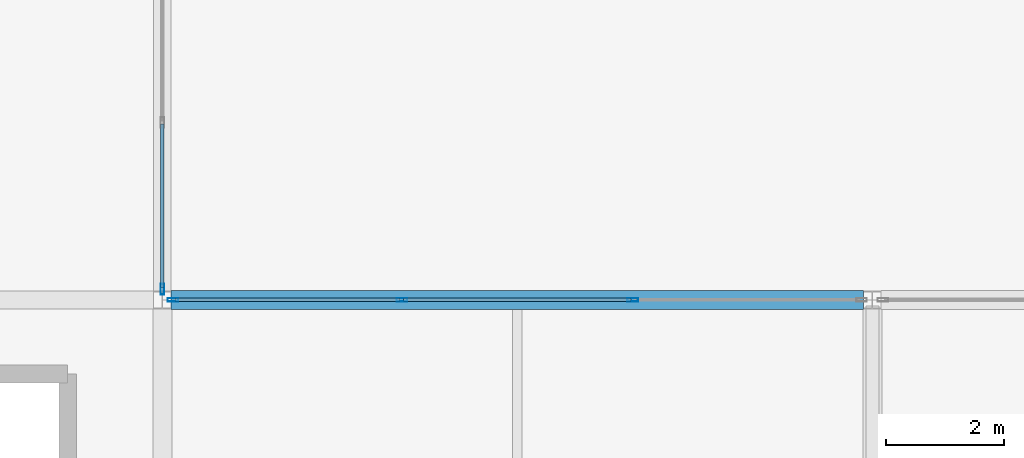
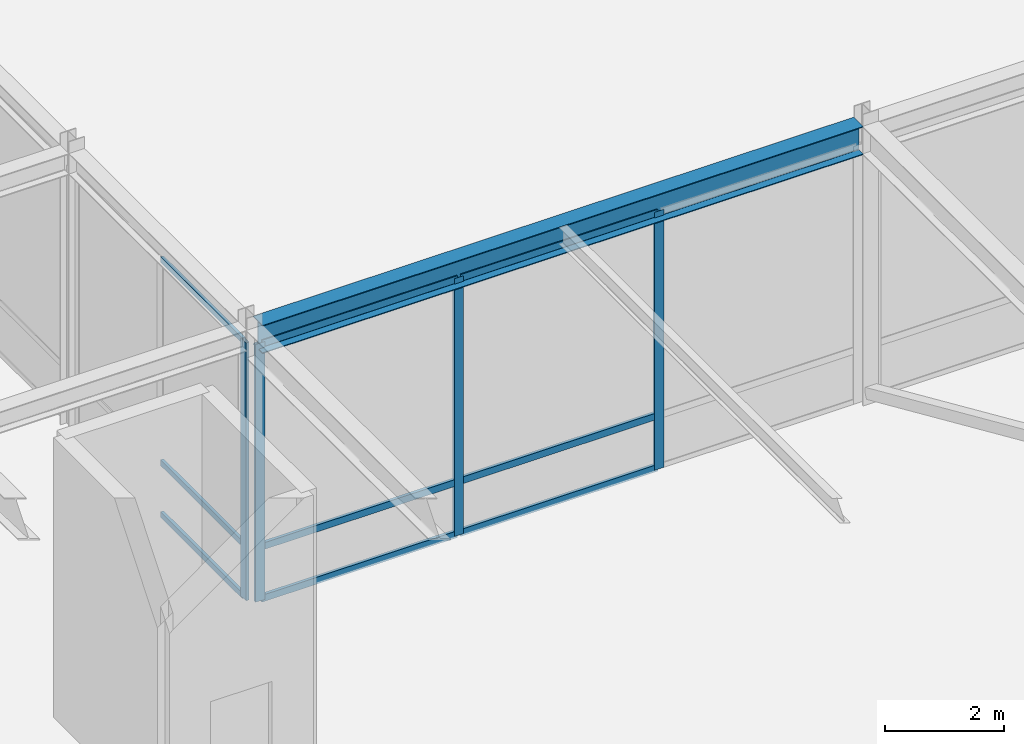
# One storey, part 62 of 108: 13 members, 1 beam, 2 elements without a shape of their own.
"""IFC4 building model written with IfcOpenShell, lengths in metres."""

import ifcopenshell
import ifcopenshell.guid

model = None  # the IFC model being written
_history = None  # IfcOwnerHistory: only IFC2X3 demands one
_inside = {}  # id of a spatial element -> (the spatial element, [elements in it])
_under = {}  # id of a project, library or spatial element -> (it, [spatial elements below it])
_declared = {}  # id of a project -> (the project, [libraries it declares])
_typed = {}  # id of a type object -> (the type object, [elements of that type])
_made_of = {}  # id of a material, layer set ... -> (it, [elements and type objects made of it])


def new_model(schema):
    """Start an empty IFC model of exactly this schema.

    Asked for "IFC4X3", IfcOpenShell would pick the latest addendum, in which some entities
    have other attributes; the version numbers below select the first issue.
    IFC2X3 requires an IfcOwnerHistory on every rooted entity: one is made here for all.
    """
    global model, _history
    if schema == "IFC4X3":
        model = ifcopenshell.file(schema_version=(4, 3, 0, 0))
    else:
        model = ifcopenshell.file(schema=schema)
    _inside.clear()
    _under.clear()
    _declared.clear()
    _typed.clear()
    _made_of.clear()
    _history = None
    if model.schema == "IFC2X3":
        org = make("IfcOrganization", Name="unknown")
        user = make(
            "IfcPersonAndOrganization",
            ThePerson=make("IfcPerson", FamilyName="unknown"),
            TheOrganization=org,
        )
        app = make(
            "IfcApplication",
            ApplicationDeveloper=org,
            Version="unknown",
            ApplicationFullName="unknown",
            ApplicationIdentifier="unknown",
        )
        _history = make(
            "IfcOwnerHistory",
            OwningUser=user,
            OwningApplication=app,
            ChangeAction="ADDED",
            CreationDate=0,
        )
    return model


def make(cls, **values):
    """One entity of the class cls with the attributes given. An attribute that is None is left unset."""
    return model.create_entity(
        cls, **{name: value for name, value in values.items() if value is not None}
    )


def rooted(cls, **values):
    """An entity with a GlobalId (a new one), such as an element, a storey or a relation."""
    return make(cls, GlobalId=ifcopenshell.guid.new(), OwnerHistory=_history, **values)


def si_unit(unit_type, name, prefix=None):
    """IfcSIUnit, for example si_unit("LENGTHUNIT", "METRE", prefix="MILLI")."""
    return make("IfcSIUnit", UnitType=unit_type, Prefix=prefix, Name=name)


def assignment(units):
    """IfcUnitAssignment: the units of a project."""
    return None if units is None else make("IfcUnitAssignment", Units=units)


def point(xyz):
    """IfcCartesianPoint."""
    return None if xyz is None else make("IfcCartesianPoint", Coordinates=xyz)


def direction(xyz):
    """IfcDirection."""
    return None if xyz is None else make("IfcDirection", DirectionRatios=xyz)


def frame(location, z_axis=None, x_axis=None):
    """IfcAxis2Placement3D, a coordinate frame: its origin and axes. An axis left out is left unset."""
    return make(
        "IfcAxis2Placement3D",
        Location=point(location),
        Axis=direction(z_axis),
        RefDirection=direction(x_axis),
    )


def frame_2d(location, x_axis=None):
    """IfcAxis2Placement2D, a coordinate frame in the plane: its origin and x axis."""
    return make(
        "IfcAxis2Placement2D", Location=point(location), RefDirection=direction(x_axis)
    )


def origin():
    """The frame at (0, 0, 0) with its axes left unset."""
    return frame((0.0, 0.0, 0.0))


def origin_2d():
    """The frame at (0, 0) in the plane with its x axis left unset."""
    return frame_2d((0.0, 0.0))


def place(relative_to, where):
    """IfcLocalPlacement: puts the frame where relative to a parent placement (None: the world)."""
    return make(
        "IfcLocalPlacement", PlacementRelTo=relative_to, RelativePlacement=where
    )


def context(
    kind, dimensions, precision=None, world=None, true_north=None, identifier=None
):
    """IfcGeometricRepresentationContext, for example the 3D "Model" context."""
    return make(
        "IfcGeometricRepresentationContext",
        ContextIdentifier=identifier,
        ContextType=kind,
        CoordinateSpaceDimension=dimensions,
        Precision=precision,
        WorldCoordinateSystem=world,
        TrueNorth=true_north,
    )


def subcontext(parent, identifier, kind, view, scale=None):
    """IfcGeometricRepresentationSubContext, for example "Body" below "Model"."""
    return make(
        "IfcGeometricRepresentationSubContext",
        ContextIdentifier=identifier,
        ContextType=kind,
        ParentContext=parent,
        TargetScale=scale,
        TargetView=view,
    )


def project(units=None, contexts=None):
    """IfcProject with its units and contexts."""
    return rooted(
        "IfcProject",
        Name="project",
        RepresentationContexts=contexts,
        UnitsInContext=assignment(units),
    )


def spatial(cls, under=None, at=None, **own):
    """A site, building, storey or space (cls), placed at a placement, below another one or the project."""
    s = rooted(cls, ObjectPlacement=at, **own)
    if under is not None:
        _under.setdefault(under.id(), (under, []))[1].append(s)
    return s


def profile(cls, at=None, kind="AREA", **sizes):
    """A parametric profile (cls). Its sizes go by their IFC names, for example OverallWidth=200.0."""
    return make(cls, ProfileType=kind, Position=at, **sizes)


def hollow_rectangle(**sizes):
    """IfcRectangleHollowProfileDef."""
    return profile("IfcRectangleHollowProfileDef", **sizes)


def i_section(**sizes):
    """IfcIShapeProfileDef."""
    return profile("IfcIShapeProfileDef", **sizes)


def extrude(swept, where, along, depth):
    """IfcExtrudedAreaSolid: the profile swept, set in the frame where, extruded along a direction by depth."""
    return make(
        "IfcExtrudedAreaSolid",
        SweptArea=swept,
        Position=where,
        ExtrudedDirection=direction(along),
        Depth=depth,
    )


def shape(context_of_items, identifier, shape_type, items):
    """IfcShapeRepresentation: the items that make up one representation, for example the "Body"."""
    return make(
        "IfcShapeRepresentation",
        ContextOfItems=context_of_items,
        RepresentationIdentifier=identifier,
        RepresentationType=shape_type,
        Items=items,
    )


def material(Name=None, Category=None):
    """IfcMaterial."""
    return make("IfcMaterial", Name=Name, Category=Category)


def layer(
    of_material, thickness, ventilated=None, Name=None, Category=None, Priority=None
):
    """IfcMaterialLayer: one layer of a wall or slab, of a material (None: an air gap)."""
    return make(
        "IfcMaterialLayer",
        Material=of_material,
        LayerThickness=thickness,
        IsVentilated=ventilated,
        Name=Name,
        Category=Category,
        Priority=Priority,
    )


def layer_set(layers, Name=None):
    """IfcMaterialLayerSet."""
    return make("IfcMaterialLayerSet", MaterialLayers=layers, LayerSetName=Name)


def material_profile(
    of_material, cross_section, Name=None, Category=None, Priority=None
):
    """IfcMaterialProfile: a cross section and its material."""
    return make(
        "IfcMaterialProfile",
        Name=Name,
        Material=of_material,
        Profile=cross_section,
        Priority=Priority,
        Category=Category,
    )


def profile_set(profiles, Name=None, composite=None):
    """IfcMaterialProfileSet."""
    return make(
        "IfcMaterialProfileSet",
        Name=Name,
        MaterialProfiles=profiles,
        CompositeProfile=composite,
    )


def made_of(thing, what):
    """Note that an element or type object is made of a material, layer set ...; save() writes the relation."""
    if what is not None:
        _made_of.setdefault(what.id(), (what, []))[1].append(thing)
    return thing


def type_object(cls, material=None, **own):
    """A type object (cls), such as IfcWallType, which elements share."""
    return made_of(rooted(cls, **own), material)


def element(
    cls,
    number,
    at=None,
    inside=None,
    cuts=None,
    type_object=None,
    material=None,
    context=None,
    identifier="Body",
    shape_type=None,
    held_by="IfcProductDefinitionShape",
    body=None,
    shapes=None,
    **own,
):
    """One element of the class cls, such as IfcWall. Its Tag is "e" and its number.

    at: its placement. inside: the storey or other place that contains it. cuts: it is an
    opening in that element (IfcRelVoidsElement). A single representation is given by context,
    identifier, shape_type and body (its items); several are given by shapes. held_by: the class
    of the entity that holds the representations. save() writes the other relations.
    """
    e = rooted(cls, Tag="e%d" % number, ObjectPlacement=at, **own)
    if body is not None:
        shapes = [shape(context, identifier, shape_type, body)]
    if shapes is not None:
        e.Representation = make(held_by, Representations=shapes)
    if inside is not None:
        _inside.setdefault(inside.id(), (inside, []))[1].append(e)
    if cuts is not None:
        rooted(
            "IfcRelVoidsElement", RelatingBuildingElement=cuts, RelatedOpeningElement=e
        )
    if type_object is not None:
        _typed.setdefault(type_object.id(), (type_object, []))[1].append(e)
    return made_of(e, material)


def aggregate(whole, parts):
    """IfcRelAggregates: a whole, such as a stair, and the parts it consists of."""
    return rooted("IfcRelAggregates", RelatingObject=whole, RelatedObjects=parts)


def save(model, path):
    """Write the relations noted so far, then the file.

    IfcRelAggregates (storeys below a building ...), IfcRelContainedInSpatialStructure (elements
    in a storey), IfcRelDefinesByType, IfcRelAssociatesMaterial and IfcRelDeclares: one each for
    every whole, place, type object, material and project.
    """
    for whole, parts in _under.values():
        aggregate(whole, parts)
    for where, things in _inside.values():
        rooted(
            "IfcRelContainedInSpatialStructure",
            RelatedElements=things,
            RelatingStructure=where,
        )
    for kind, things in _typed.values():
        rooted("IfcRelDefinesByType", RelatedObjects=things, RelatingType=kind)
    for what, things in _made_of.values():
        rooted("IfcRelAssociatesMaterial", RelatedObjects=things, RelatingMaterial=what)
    for by, libraries in _declared.values():
        rooted("IfcRelDeclares", RelatingContext=by, RelatedDefinitions=libraries)
    model.write(path)


model = new_model("IFC4")

# Units and contexts
model_context = context("Model", 3, precision=1e-05, world=origin(), true_north=direction((0.0, 1.0)))
body_context = subcontext(model_context, "Body", "Model", "MODEL_VIEW")
ifc_project = project(units=[si_unit("LENGTHUNIT", "METRE"), si_unit("AREAUNIT", "SQUARE_METRE"), si_unit("VOLUMEUNIT", "CUBIC_METRE"), si_unit("PLANEANGLEUNIT", "RADIAN"), si_unit("MASSUNIT", "GRAM", prefix="KILO")], contexts=[model_context])

# Site, building, storey
site_placement = place(None, origin())
site = spatial("IfcSite", under=ifc_project, at=site_placement, CompositionType="ELEMENT")
building_placement = place(site_placement, origin())
building = spatial("IfcBuilding", under=site, at=building_placement, Name="Zlatovratsky Civic Hall", CompositionType="ELEMENT")
storey_placement = place(building_placement, frame((0.0, 0.0, 6.0)))
storey = spatial("IfcBuildingStorey", under=building, at=storey_placement, Name="L02", CompositionType="ELEMENT", Elevation=6.0)

# Beam
ifc_material_1 = material(Name="Steel S355", Category="steel")
ifc_material_profile_1 = material_profile(ifc_material_1, i_section(OverallWidth=0.320068359375, OverallDepth=0.58203125, WebThickness=0.011962890625, FlangeThickness=0.01708984375, FilletRadius=0.02392578125, at=origin_2d()), Name="60Sh1")
ifc_profile_set_1 = profile_set([ifc_material_profile_1], Name="Steel S355")
beam_type = type_object("IfcBeamType", Name="Beam_PodiumGirder_60Sh1", PredefinedType="BEAM", material=ifc_profile_set_1)
beam_placement = place(storey_placement, frame((120.14990234375, 30.0, 5.468994140625), z_axis=(1.0, 0.0, 0.0), x_axis=(0.0, 1.0, 0.0)))
element("IfcBeam", 1, at=beam_placement, inside=storey, type_object=beam_type, Name="BM-1796", PredefinedType="BEAM", context=body_context, shape_type="SweptSolid", body=[
    extrude(i_section(OverallWidth=0.320068359375, OverallDepth=0.58203125, WebThickness=0.011962890625, FlangeThickness=0.01708984375, FilletRadius=0.02392578125, at=origin_2d()), origin(), (0.0, 0.0, 1.0), 11.7001953125),
])

# Curtain wall, members
ifc_material_2 = material(Name="Anodised bronze aluminium", Category="aluminium")
ifc_layer_1 = layer(ifc_material_2, 0.159912109375)
ifc_layer_set_1 = layer_set([ifc_layer_1], Name="Anodised bronze aluminium")
curtain_wall_type_1 = type_object("IfcCurtainWallType", Name="CurtainWall_Bronze_11700x5310_05", PredefinedType="NOTDEFINED", material=ifc_layer_set_1)
curtain_wall_1_placement = place(storey_placement, origin())
curtain_wall_1 = element("IfcCurtainWall", 2, at=curtain_wall_1_placement, inside=storey, type_object=curtain_wall_type_1, Name="CW-027", PredefinedType="NOTDEFINED")
ifc_material_profile_2 = material_profile(ifc_material_2, hollow_rectangle(XDim=0.06005859375, YDim=0.179931640625, WallThickness=0.00390625, at=origin_2d()), Name="ALU 60x180x4")
ifc_profile_set_2 = profile_set([ifc_material_profile_2], Name="Anodised bronze aluminium")
member_type_1 = type_object("IfcMemberType", Name="CW_Mullion_60x180", PredefinedType="MULLION", material=ifc_profile_set_2)
member_1_placement = place(storey_placement, frame((120.179931640625, 30.0, 0.0), z_axis=(0.0, 0.0, 1.0), x_axis=(0.0, 1.0, 0.0)))
member_1 = element("IfcMember", 3, at=member_1_placement, type_object=member_type_1, Name="CW-05 mullion 1", PredefinedType="MULLION", context=body_context, shape_type="SweptSolid", body=[
    extrude(hollow_rectangle(XDim=0.06005859375, YDim=0.179931640625, WallThickness=0.00390625, at=origin_2d()), origin(), (0.0, 0.0, 1.0), 5.31005859375),
])
member_2_placement = place(storey_placement, frame((124.050048828125, 30.0, 0.0), z_axis=(0.0, 0.0, 1.0), x_axis=(0.0, 1.0, 0.0)))
member_2 = element("IfcMember", 4, at=member_2_placement, type_object=member_type_1, Name="CW-05 mullion 2", PredefinedType="MULLION", context=body_context, shape_type="SweptSolid", body=[
    extrude(hollow_rectangle(XDim=0.06005859375, YDim=0.179931640625, WallThickness=0.00390625, at=origin_2d()), origin(), (0.0, 0.0, 1.0), 5.31005859375),
])
member_3_placement = place(storey_placement, frame((127.949951171875, 30.0, 0.0), z_axis=(0.0, 0.0, 1.0), x_axis=(0.0, 1.0, 0.0)))
member_3 = element("IfcMember", 5, at=member_3_placement, type_object=member_type_1, Name="CW-05 mullion 3", PredefinedType="MULLION", context=body_context, shape_type="SweptSolid", body=[
    extrude(hollow_rectangle(XDim=0.06005859375, YDim=0.179931640625, WallThickness=0.00390625, at=origin_2d()), origin(), (0.0, 0.0, 1.0), 5.31005859375),
])

ifc_layer_2 = layer(ifc_material_2, 0.159912109375)
ifc_layer_set_2 = layer_set([ifc_layer_2], Name="Anodised bronze aluminium")
curtain_wall_type_2 = type_object("IfcCurtainWallType", Name="CurtainWall_Bronze_5700x5310_06", PredefinedType="NOTDEFINED", material=ifc_layer_set_2)
curtain_wall_2_placement = place(storey_placement, origin())
curtain_wall_2 = element("IfcCurtainWall", 6, at=curtain_wall_2_placement, inside=storey, type_object=curtain_wall_type_2, Name="CW-033", PredefinedType="NOTDEFINED")
member_4_placement = place(storey_placement, frame((120.0, 30.179931640625, 0.0), z_axis=(0.0, 0.0, 1.0), x_axis=(-1.0, 0.0, 0.0)))
member_4 = element("IfcMember", 7, at=member_4_placement, type_object=member_type_1, Name="CW-06 mullion 1", PredefinedType="MULLION", context=body_context, shape_type="SweptSolid", body=[
    extrude(hollow_rectangle(XDim=0.06005859375, YDim=0.179931640625, WallThickness=0.00390625, at=origin_2d()), origin(), (0.0, 0.0, 1.0), 5.31005859375),
])
ifc_material_profile_3 = material_profile(ifc_material_2, hollow_rectangle(XDim=0.06005859375, YDim=0.1201171875, WallThickness=0.00390625, at=origin_2d()), Name="ALU 60x120x4")
ifc_profile_set_3 = profile_set([ifc_material_profile_3], Name="Anodised bronze aluminium")
member_type_2 = type_object("IfcMemberType", Name="CW_Transom_60x120", PredefinedType="USERDEFINED", material=ifc_profile_set_3)
member_5_placement = place(storey_placement, frame((120.0, 30.2099609375, 0.030029296875), z_axis=(0.0, 1.0, 0.0), x_axis=(-1.0, 0.0, 0.0)))
member_5 = element("IfcMember", 8, at=member_5_placement, type_object=member_type_2, Name="CW-06 transom 1.1", ObjectType="TRANSOM", PredefinedType="USERDEFINED", context=body_context, shape_type="SweptSolid", body=[
    extrude(hollow_rectangle(XDim=0.06005859375, YDim=0.1201171875, WallThickness=0.00390625, at=origin_2d()), origin(), (0.0, 0.0, 1.0), 2.760009765625),
])
member_6_placement = place(storey_placement, frame((120.0, 30.2099609375, 1.10009765625), z_axis=(0.0, 1.0, 0.0), x_axis=(-1.0, 0.0, 0.0)))
member_6 = element("IfcMember", 9, at=member_6_placement, type_object=member_type_2, Name="CW-06 transom 1.2", ObjectType="TRANSOM", PredefinedType="USERDEFINED", context=body_context, shape_type="SweptSolid", body=[
    extrude(hollow_rectangle(XDim=0.06005859375, YDim=0.1201171875, WallThickness=0.00390625, at=origin_2d()), origin(), (0.0, 0.0, 1.0), 2.760009765625),
])
member_7_placement = place(storey_placement, frame((120.0, 30.2099609375, 5.280029296875), z_axis=(0.0, 1.0, 0.0), x_axis=(-1.0, 0.0, 0.0)))
member_7 = element("IfcMember", 10, at=member_7_placement, type_object=member_type_2, Name="CW-06 transom 1.3", ObjectType="TRANSOM", PredefinedType="USERDEFINED", context=body_context, shape_type="SweptSolid", body=[
    extrude(hollow_rectangle(XDim=0.06005859375, YDim=0.1201171875, WallThickness=0.00390625, at=origin_2d()), origin(), (0.0, 0.0, 1.0), 2.760009765625),
])
aggregate(curtain_wall_2, [member_4, member_5, member_6, member_7])

# Member
ifc_material_profile_4 = material_profile(ifc_material_2, hollow_rectangle(XDim=0.06005859375, YDim=0.139892578125, WallThickness=0.00390625, at=origin_2d()), Name="ALU 60x140x4")
ifc_profile_set_4 = profile_set([ifc_material_profile_4], Name="Anodised bronze aluminium")
member_type_3 = type_object("IfcMemberType", Name="CW_Transom_60x140", PredefinedType="USERDEFINED", material=ifc_profile_set_4)
member_8_placement = place(storey_placement, frame((120.2099609375, 30.0, 0.030029296875), z_axis=(1.0, 0.0, 0.0), x_axis=(0.0, 1.0, 0.0)))
member_8 = element("IfcMember", 11, at=member_8_placement, type_object=member_type_3, Name="CW-05 transom 1.1", ObjectType="TRANSOM", PredefinedType="USERDEFINED", context=body_context, shape_type="SweptSolid", body=[
    extrude(hollow_rectangle(XDim=0.06005859375, YDim=0.139892578125, WallThickness=0.00390625, at=origin_2d()), origin(), (0.0, 0.0, 1.0), 3.81005859375),
])

member_9_placement = place(storey_placement, frame((120.2099609375, 30.0, 1.10009765625), z_axis=(1.0, 0.0, 0.0), x_axis=(0.0, 1.0, 0.0)))
member_9 = element("IfcMember", 12, at=member_9_placement, type_object=member_type_3, Name="CW-05 transom 1.2", ObjectType="TRANSOM", PredefinedType="USERDEFINED", context=body_context, shape_type="SweptSolid", body=[
    extrude(hollow_rectangle(XDim=0.06005859375, YDim=0.139892578125, WallThickness=0.00390625, at=origin_2d()), origin(), (0.0, 0.0, 1.0), 3.81005859375),
])

member_10_placement = place(storey_placement, frame((120.2099609375, 30.0, 5.280029296875), z_axis=(1.0, 0.0, 0.0), x_axis=(0.0, 1.0, 0.0)))
member_10 = element("IfcMember", 13, at=member_10_placement, type_object=member_type_3, Name="CW-05 transom 1.3", ObjectType="TRANSOM", PredefinedType="USERDEFINED", context=body_context, shape_type="SweptSolid", body=[
    extrude(hollow_rectangle(XDim=0.06005859375, YDim=0.139892578125, WallThickness=0.00390625, at=origin_2d()), origin(), (0.0, 0.0, 1.0), 3.81005859375),
])

member_11_placement = place(storey_placement, frame((124.080078125, 30.0, 0.030029296875), z_axis=(1.0, 0.0, 0.0), x_axis=(0.0, 1.0, 0.0)))
member_11 = element("IfcMember", 14, at=member_11_placement, type_object=member_type_3, Name="CW-05 transom 2.1", ObjectType="TRANSOM", PredefinedType="USERDEFINED", context=body_context, shape_type="SweptSolid", body=[
    extrude(hollow_rectangle(XDim=0.06005859375, YDim=0.139892578125, WallThickness=0.00390625, at=origin_2d()), origin(), (0.0, 0.0, 1.0), 3.83984375),
])

member_12_placement = place(storey_placement, frame((124.080078125, 30.0, 1.10009765625), z_axis=(1.0, 0.0, 0.0), x_axis=(0.0, 1.0, 0.0)))
member_12 = element("IfcMember", 15, at=member_12_placement, type_object=member_type_3, Name="CW-05 transom 2.2", ObjectType="TRANSOM", PredefinedType="USERDEFINED", context=body_context, shape_type="SweptSolid", body=[
    extrude(hollow_rectangle(XDim=0.06005859375, YDim=0.139892578125, WallThickness=0.00390625, at=origin_2d()), origin(), (0.0, 0.0, 1.0), 3.83984375),
])

member_13_placement = place(storey_placement, frame((124.080078125, 30.0, 5.280029296875), z_axis=(1.0, 0.0, 0.0), x_axis=(0.0, 1.0, 0.0)))
member_13 = element("IfcMember", 16, at=member_13_placement, type_object=member_type_3, Name="CW-05 transom 2.3", ObjectType="TRANSOM", PredefinedType="USERDEFINED", context=body_context, shape_type="SweptSolid", body=[
    extrude(hollow_rectangle(XDim=0.06005859375, YDim=0.139892578125, WallThickness=0.00390625, at=origin_2d()), origin(), (0.0, 0.0, 1.0), 3.83984375),
])

aggregate(curtain_wall_1, [member_1, member_2, member_3, member_8, member_9, member_10, member_11, member_12, member_13])

save(model, "model.ifc")
